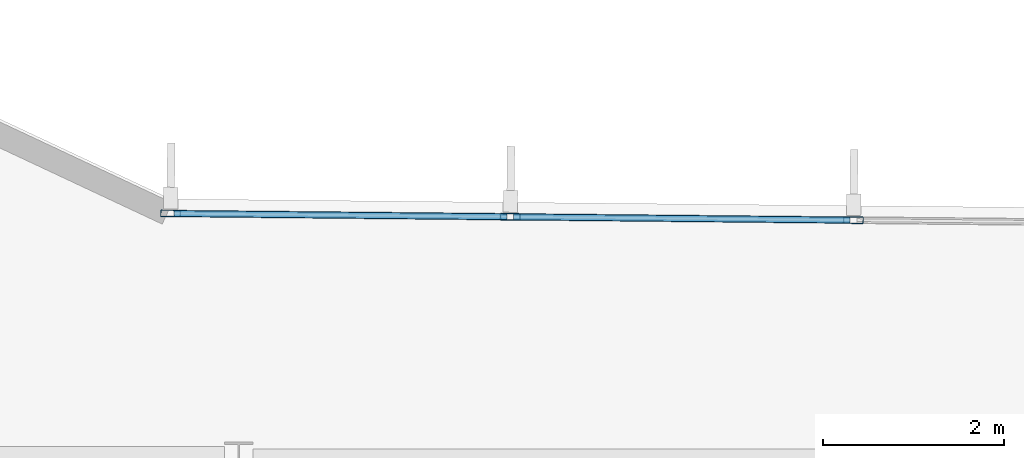
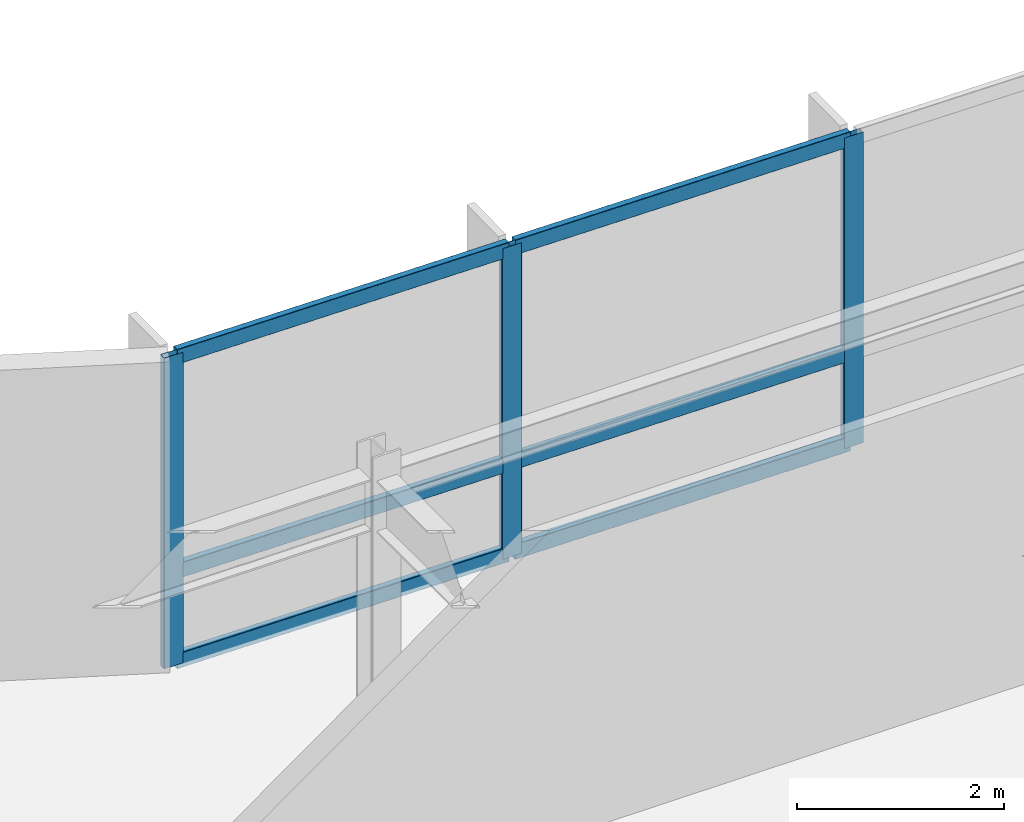
# One storey, part 4 of 19: 9 members, 1 element without a shape of its own.
"""IFC4 building model written with IfcOpenShell, lengths in metres."""

from ifc_helpers import new_model, si_unit, direction, frame, origin, origin_2d, place, context, subcontext, project, spatial, hollow_rectangle, extrude, material, layer, layer_set, material_profile, profile_set, type_object, element, aggregate, save


model = new_model("IFC4")

# Units and contexts
model_context = context("Model", 3, precision=1e-05, world=origin(), true_north=direction((0.0, 1.0)))
body_context = subcontext(model_context, "Body", "Model", "MODEL_VIEW")
ifc_project = project(units=[si_unit("LENGTHUNIT", "METRE"), si_unit("AREAUNIT", "SQUARE_METRE"), si_unit("VOLUMEUNIT", "CUBIC_METRE"), si_unit("PLANEANGLEUNIT", "RADIAN"), si_unit("MASSUNIT", "GRAM", prefix="KILO")], contexts=[model_context])

# Site, building, storey
site_placement = place(None, origin())
site = spatial("IfcSite", under=ifc_project, at=site_placement, CompositionType="ELEMENT")
building_placement = place(site_placement, origin())
building = spatial("IfcBuilding", under=site, at=building_placement, Name="Varnakote Quay Hospital", CompositionType="ELEMENT")
storey_placement = place(building_placement, frame((0.0, 0.0, 93.60009765625)))
storey = spatial("IfcBuildingStorey", under=building, at=storey_placement, Name="L23", CompositionType="ELEMENT", Elevation=93.60009765625)

# Curtain wall, members
ifc_material_1 = material(Name="Anodised aluminium 6063-T6 Bronze", Category="aluminium")
ifc_layer = layer(ifc_material_1, 0.18994140625)
ifc_layer_set = layer_set([ifc_layer], Name="Anodised aluminium 6063-T6 Bronze")
curtain_wall_type = type_object("IfcCurtainWallType", Name="CW-SYS-2", PredefinedType="NOTDEFINED", material=ifc_layer_set)
curtain_wall_placement = place(storey_placement, origin())
curtain_wall = element("IfcCurtainWall", 1, at=curtain_wall_placement, inside=storey, type_object=curtain_wall_type, Name="L23 Unitised Bronze Curtain Wall 2", PredefinedType="NOTDEFINED")
ifc_material_2 = material(Name="Anodised aluminium 6063-T6 Bronze", Category="aluminium")
ifc_material_profile_1 = material_profile(ifc_material_2, hollow_rectangle(XDim=0.074951171875, YDim=0.219970703125, WallThickness=0.00439453125, InnerFilletRadius=0.00439453125, OuterFilletRadius=0.009033203125, at=origin_2d()), Name="CW-MULL-220x75")
ifc_profile_set_1 = profile_set([ifc_material_profile_1], Name="Anodised aluminium 6063-T6 Bronze")
member_type_1 = type_object("IfcMemberType", Name="CW-MULL-220x75", PredefinedType="MULLION", material=ifc_profile_set_1)
member_1_placement = place(storey_placement, frame((31.99853515625, 31.418212890625, 0.0), z_axis=(0.0, 0.0, 1.0), x_axis=(-0.009774266312, -0.999952230718, 0.0)))
member_1 = element("IfcMember", 2, at=member_1_placement, type_object=member_type_1, Name="-2-L23-2 mullion 3", PredefinedType="MULLION", context=body_context, shape_type="SweptSolid", body=[
    extrude(hollow_rectangle(XDim=0.074951171875, YDim=0.219970703125, WallThickness=0.00439453125, InnerFilletRadius=0.00439453125, OuterFilletRadius=0.009033203125, at=origin_2d()), origin(), (0.0, 0.0, 1.0), 3.669921875),
])
member_2_placement = place(storey_placement, frame((28.203125, 31.455078125, 0.0), z_axis=(0.0, 0.0, 1.0), x_axis=(-0.009774266312, -0.999952230718, 0.0)))
member_2 = element("IfcMember", 3, at=member_2_placement, type_object=member_type_1, Name="-2-L23-2 mullion 4", PredefinedType="MULLION", context=body_context, shape_type="SweptSolid", body=[
    extrude(hollow_rectangle(XDim=0.074951171875, YDim=0.219970703125, WallThickness=0.00439453125, InnerFilletRadius=0.00439453125, OuterFilletRadius=0.009033203125, at=origin_2d()), origin(), (0.0, 0.0, 1.0), 3.669921875),
])
member_3_placement = place(storey_placement, frame((24.445068359375, 31.491943359375, 0.0), z_axis=(0.0, 0.0, 1.0), x_axis=(-0.009774266312, -0.999952230718, 0.0)))
member_3 = element("IfcMember", 4, at=member_3_placement, type_object=member_type_1, Name="-2-L23-2 mullion 5", PredefinedType="MULLION", context=body_context, shape_type="SweptSolid", body=[
    extrude(hollow_rectangle(XDim=0.074951171875, YDim=0.219970703125, WallThickness=0.00439453125, InnerFilletRadius=0.00439453125, OuterFilletRadius=0.009033203125, at=origin_2d()), origin(), (0.0, 0.0, 1.0), 3.669921875),
])
ifc_material_3 = material(Name="Anodised aluminium 6063-T6 Bronze", Category="aluminium")
ifc_material_profile_2 = material_profile(ifc_material_3, hollow_rectangle(XDim=0.074951171875, YDim=0.179931640625, WallThickness=0.004150390625, InnerFilletRadius=0.004150390625, OuterFilletRadius=0.00830078125, at=origin_2d()), Name="CW-TRAN-180x75")
ifc_profile_set_2 = profile_set([ifc_material_profile_2], Name="Anodised aluminium 6063-T6 Bronze")
member_type_2 = type_object("IfcMemberType", Name="CW-TRAN-180x75", PredefinedType="USERDEFINED", material=ifc_profile_set_2)
member_4_placement = place(storey_placement, frame((31.961181640625, 31.41845703125, 0.037353515625), z_axis=(-0.999952209511, 0.009776435644, 0.0), x_axis=(-0.009776435644, -0.999952209511, 0.0)))
member_4 = element("IfcMember", 5, at=member_4_placement, type_object=member_type_2, Name="-2-L23-2 transom 3.1", ObjectType="TRANSOM", PredefinedType="USERDEFINED", context=body_context, shape_type="SweptSolid", body=[
    extrude(hollow_rectangle(XDim=0.074951171875, YDim=0.179931640625, WallThickness=0.004150390625, InnerFilletRadius=0.004150390625, OuterFilletRadius=0.00830078125, at=origin_2d()), origin(), (0.0, 0.0, 1.0), 3.720947265625),
])
member_5_placement = place(storey_placement, frame((31.961181640625, 31.41845703125, 1.099853515625), z_axis=(-0.999952209511, 0.009776435644, 0.0), x_axis=(-0.009776435644, -0.999952209511, 0.0)))
member_5 = element("IfcMember", 6, at=member_5_placement, type_object=member_type_2, Name="-2-L23-2 transom 3.2", ObjectType="TRANSOM", PredefinedType="USERDEFINED", context=body_context, shape_type="SweptSolid", body=[
    extrude(hollow_rectangle(XDim=0.074951171875, YDim=0.179931640625, WallThickness=0.004150390625, InnerFilletRadius=0.004150390625, OuterFilletRadius=0.00830078125, at=origin_2d()), origin(), (0.0, 0.0, 1.0), 3.720947265625),
])
member_6_placement = place(storey_placement, frame((31.961181640625, 31.41845703125, 3.63232421875), z_axis=(-0.999952209511, 0.009776435644, 0.0), x_axis=(-0.009776435644, -0.999952209511, 0.0)))
member_6 = element("IfcMember", 7, at=member_6_placement, type_object=member_type_2, Name="-2-L23-2 transom 3.3", ObjectType="TRANSOM", PredefinedType="USERDEFINED", context=body_context, shape_type="SweptSolid", body=[
    extrude(hollow_rectangle(XDim=0.074951171875, YDim=0.179931640625, WallThickness=0.004150390625, InnerFilletRadius=0.004150390625, OuterFilletRadius=0.00830078125, at=origin_2d()), origin(), (0.0, 0.0, 1.0), 3.720947265625),
])
member_7_placement = place(storey_placement, frame((28.16552734375, 31.45556640625, 0.037353515625), z_axis=(-0.999952523017, 0.00974431693, 0.0), x_axis=(-0.00974431693, -0.999952523017, 0.0)))
member_7 = element("IfcMember", 8, at=member_7_placement, type_object=member_type_2, Name="-2-L23-2 transom 4.1", ObjectType="TRANSOM", PredefinedType="USERDEFINED", context=body_context, shape_type="SweptSolid", body=[
    extrude(hollow_rectangle(XDim=0.074951171875, YDim=0.179931640625, WallThickness=0.004150390625, InnerFilletRadius=0.004150390625, OuterFilletRadius=0.00830078125, at=origin_2d()), origin(), (0.0, 0.0, 1.0), 3.68310546875),
])
member_8_placement = place(storey_placement, frame((28.16552734375, 31.45556640625, 1.099853515625), z_axis=(-0.999952523017, 0.00974431693, 0.0), x_axis=(-0.00974431693, -0.999952523017, 0.0)))
member_8 = element("IfcMember", 9, at=member_8_placement, type_object=member_type_2, Name="-2-L23-2 transom 4.2", ObjectType="TRANSOM", PredefinedType="USERDEFINED", context=body_context, shape_type="SweptSolid", body=[
    extrude(hollow_rectangle(XDim=0.074951171875, YDim=0.179931640625, WallThickness=0.004150390625, InnerFilletRadius=0.004150390625, OuterFilletRadius=0.00830078125, at=origin_2d()), origin(), (0.0, 0.0, 1.0), 3.68310546875),
])
member_9_placement = place(storey_placement, frame((28.16552734375, 31.45556640625, 3.63232421875), z_axis=(-0.999952523017, 0.00974431693, 0.0), x_axis=(-0.00974431693, -0.999952523017, 0.0)))
member_9 = element("IfcMember", 10, at=member_9_placement, type_object=member_type_2, Name="-2-L23-2 transom 4.3", ObjectType="TRANSOM", PredefinedType="USERDEFINED", context=body_context, shape_type="SweptSolid", body=[
    extrude(hollow_rectangle(XDim=0.074951171875, YDim=0.179931640625, WallThickness=0.004150390625, InnerFilletRadius=0.004150390625, OuterFilletRadius=0.00830078125, at=origin_2d()), origin(), (0.0, 0.0, 1.0), 3.68310546875),
])
aggregate(curtain_wall, [member_1, member_2, member_3, member_4, member_5, member_6, member_7, member_8, member_9])

save(model, "model.ifc")
